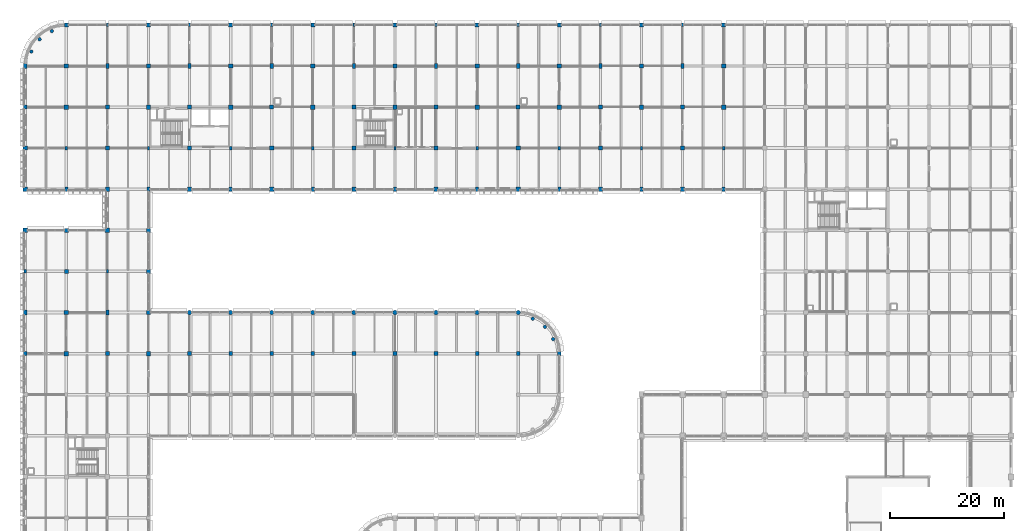
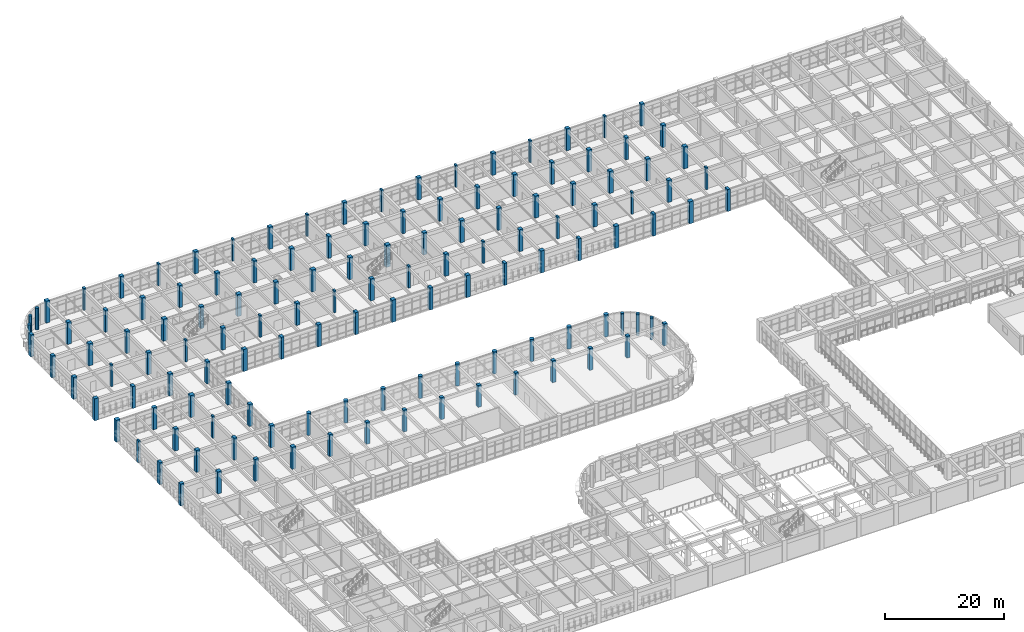
# One storey, part 5 of 171: 130 columns.
"""IFC4 building model written with IfcOpenShell, lengths in metres."""

from ifc_helpers import new_model, si_unit, direction, frame, origin, origin_2d, place, context, subcontext, project, spatial, rectangle, circle, extrude, material, material_profile, profile_set, type_object, element, save


model = new_model("IFC4")

# Units and contexts
model_context = context("Model", 3, precision=1e-05, world=origin(), true_north=direction((0.0, 1.0)))
body_context = subcontext(model_context, "Body", "Model", "MODEL_VIEW")
ifc_project = project(units=[si_unit("LENGTHUNIT", "METRE"), si_unit("AREAUNIT", "SQUARE_METRE"), si_unit("VOLUMEUNIT", "CUBIC_METRE"), si_unit("PLANEANGLEUNIT", "RADIAN"), si_unit("MASSUNIT", "GRAM", prefix="KILO")], contexts=[model_context])

# Site, building, storey
site_placement = place(None, origin())
site = spatial("IfcSite", under=ifc_project, at=site_placement, CompositionType="ELEMENT")
building_placement = place(site_placement, origin())
building = spatial("IfcBuilding", under=site, at=building_placement, Name="Thalmaran Polytechnic", CompositionType="ELEMENT")
storey_placement = place(building_placement, frame((0.0, 0.0, 5.39990234375)))
storey = spatial("IfcBuildingStorey", under=building, at=storey_placement, Name="L01", CompositionType="ELEMENT", Elevation=5.39990234375)

# Columns
ifc_material_1 = material(Name="Concrete C50/60", Category="concrete")
ifc_material_profile_1 = material_profile(ifc_material_1, rectangle(XDim=0.75, YDim=0.75, at=origin_2d()), Name="RC 750x750")
ifc_profile_set_1 = profile_set([ifc_material_profile_1], Name="Concrete C50/60")
column_type_1 = type_object("IfcColumnType", Name="COL-C04", PredefinedType="COLUMN", material=ifc_profile_set_1)
for number, where, z_axis, x_axis, name in (
    (1, (0.0, 93.60009765625, 0.0), (0.0, 0.0, 1.0), (1.0, 0.0, 0.0), "Column C04 L01 (0,13)"),
    (2, (7.199951171875, 72.0, 0.0), (0.0, 0.0, 1.0), (1.0, 0.0, 0.0), "Column C04 L01 (1,10)"),
    (3, (7.199951171875, 115.199951171875, 0.0), (0.0, 0.0, 1.0), (1.0, 0.0, 0.0), "Column C04 L01 (1,16)"),
    (4, (14.39990234375, 93.60009765625, 0.0), (0.0, 0.0, 1.0), (1.0, 0.0, 0.0), "Column C04 L01 (2,13)"),
    (5, (21.60009765625, 72.0, 0.0), (0.0, 0.0, 1.0), (1.0, 0.0, 0.0), "Column C04 L01 (3,10)"),
    (6, (21.60009765625, 115.199951171875, 0.0), (0.0, 0.0, 1.0), (1.0, 0.0, 0.0), "Column C04 L01 (3,16)"),
    (7, (28.800048828125, 93.60009765625, 0.0), (0.0, 0.0, 1.0), (1.0, 0.0, 0.0), "Column C04 L01 (4,13)"),
    (8, (36.0, 115.199951171875, 0.0), (0.0, 0.0, 1.0), (1.0, 0.0, 0.0), "Column C04 L01 (5,16)"),
    (9, (43.199951171875, 93.60009765625, 0.0), (0.0, 0.0, 1.0), (1.0, 0.0, 0.0), "Column C04 L01 (6,13)"),
    (10, (50.39990234375, 115.199951171875, 0.0), (0.0, 0.0, 1.0), (1.0, 0.0, 0.0), "Column C04 L01 (7,16)"),
    (11, (57.60009765625, 93.60009765625, 0.0), (0.0, 0.0, 1.0), (1.0, 0.0, 0.0), "Column C04 L01 (8,13)"),
    (12, (64.800048828125, 115.199951171875, 0.0), (0.0, 0.0, 1.0), (1.0, 0.0, 0.0), "Column C04 L01 (9,16)"),
    (13, (72.0, 93.60009765625, 0.0), (0.0, 0.0, 1.0), (1.0, 0.0, 0.0), "Column C04 L01 (10,13)"),
    (14, (79.199951171875, 115.199951171875, 0.0), (0.0, 0.0, 1.0), (1.0, 0.0, 0.0), "Column C04 L01 (11,16)"),
    (15, (86.39990234375, 93.60009765625, 0.0), (0.0, 0.0, 1.0), (1.0, 0.0, 0.0), "Column C04 L01 (12,13)"),
    (16, (93.60009765625, 115.199951171875, 0.0), (0.0, 0.0, 1.0), (1.0, 0.0, 0.0), "Column C04 L01 (13,16)"),
    (17, (100.800048828125, 93.60009765625, 0.0), (0.0, 0.0, 1.0), (1.0, 0.0, 0.0), "Column C04 L01 (14,13)"),
    (18, (108.0, 115.199951171875, 0.0), (0.0, 0.0, 1.0), (1.0, 0.0, 0.0), "Column C04 L01 (15,16)"),
    (19, (115.199951171875, 93.60009765625, 0.0), (0.0, 0.0, 1.0), (1.0, 0.0, 0.0), "Column C04 L01 (16,13)"),
    (20, (122.39990234375, 115.199951171875, 0.0), (0.0, 0.0, 1.0), (1.0, 0.0, 0.0), "Column C04 L01 (17,16)"),
):
    element("IfcColumn", number, at=place(storey_placement, frame(where, z_axis=z_axis, x_axis=x_axis)), inside=storey, type_object=column_type_1, Name=name, PredefinedType="COLUMN", context=body_context, shape_type="SweptSolid", body=[
        extrude(rectangle(XDim=0.75, YDim=0.75, at=origin_2d()), origin(), (0.0, 0.0, 1.0), 4.5),
    ])
ifc_material_profile_2 = material_profile(ifc_material_1, rectangle(XDim=0.699951171875, YDim=0.699951171875, at=origin_2d()), Name="RC 700x700")
ifc_profile_set_2 = profile_set([ifc_material_profile_2], Name="Concrete C50/60")
column_type_2 = type_object("IfcColumnType", Name="COL-C05", PredefinedType="COLUMN", material=ifc_profile_set_2)
for number, where, z_axis, x_axis, name in (
    (21, (0.0, 64.800048828125, 0.0), (0.0, 0.0, 1.0), (1.0, 0.0, 0.0), "Column C05 L01 (0,9)"),
    (22, (0.0, 108.0, 0.0), (0.0, 0.0, 1.0), (1.0, 0.0, 0.0), "Column C05 L01 (0,15)"),
    (23, (7.199951171875, 86.39990234375, 0.0), (0.0, 0.0, 1.0), (1.0, 0.0, 0.0), "Column C05 L01 (1,12)"),
    (24, (14.39990234375, 64.800048828125, 0.0), (0.0, 0.0, 1.0), (1.0, 0.0, 0.0), "Column C05 L01 (2,9)"),
    (25, (14.39990234375, 108.0, 0.0), (0.0, 0.0, 1.0), (1.0, 0.0, 0.0), "Column C05 L01 (2,15)"),
    (26, (21.60009765625, 86.39990234375, 0.0), (0.0, 0.0, 1.0), (1.0, 0.0, 0.0), "Column C05 L01 (3,12)"),
    (27, (28.800048828125, 108.0, 0.0), (0.0, 0.0, 1.0), (1.0, 0.0, 0.0), "Column C05 L01 (4,15)"),
    (28, (43.199951171875, 108.0, 0.0), (0.0, 0.0, 1.0), (1.0, 0.0, 0.0), "Column C05 L01 (6,15)"),
    (29, (57.60009765625, 108.0, 0.0), (0.0, 0.0, 1.0), (1.0, 0.0, 0.0), "Column C05 L01 (8,15)"),
    (30, (72.0, 108.0, 0.0), (0.0, 0.0, 1.0), (1.0, 0.0, 0.0), "Column C05 L01 (10,15)"),
    (31, (86.39990234375, 108.0, 0.0), (0.0, 0.0, 1.0), (1.0, 0.0, 0.0), "Column C05 L01 (12,15)"),
    (32, (100.800048828125, 108.0, 0.0), (0.0, 0.0, 1.0), (1.0, 0.0, 0.0), "Column C05 L01 (14,15)"),
    (33, (115.199951171875, 108.0, 0.0), (0.0, 0.0, 1.0), (1.0, 0.0, 0.0), "Column C05 L01 (16,15)"),
):
    element("IfcColumn", number, at=place(storey_placement, frame(where, z_axis=z_axis, x_axis=x_axis)), inside=storey, type_object=column_type_2, Name=name, PredefinedType="COLUMN", context=body_context, shape_type="SweptSolid", body=[
        extrude(rectangle(XDim=0.699951171875, YDim=0.699951171875, at=origin_2d()), origin(), (0.0, 0.0, 1.0), 4.5),
    ])
ifc_material_2 = material(Name="Concrete C40/50", Category="concrete")
ifc_material_profile_3 = material_profile(ifc_material_2, rectangle(XDim=0.64990234375, YDim=0.64990234375, at=origin_2d()), Name="RC 650x650")
ifc_profile_set_3 = profile_set([ifc_material_profile_3], Name="Concrete C40/50")
column_type_3 = type_object("IfcColumnType", Name="COL-C06", PredefinedType="COLUMN", material=ifc_profile_set_3)
for number, where, z_axis, x_axis, name in (
    (34, (28.800048828125, 64.800048828125, 0.0), (0.0, 0.0, 1.0), (1.0, 0.0, 0.0), "Column C06 L01 (4,9)"),
    (35, (36.0, 64.800048828125, 0.0), (0.0, 0.0, 1.0), (1.0, 0.0, 0.0), "Column C06 L01 (5,9)"),
    (36, (43.199951171875, 64.800048828125, 0.0), (0.0, 0.0, 1.0), (1.0, 0.0, 0.0), "Column C06 L01 (6,9)"),
    (37, (50.39990234375, 64.800048828125, 0.0), (0.0, 0.0, 1.0), (1.0, 0.0, 0.0), "Column C06 L01 (7,9)"),
    (38, (57.60009765625, 64.800048828125, 0.0), (0.0, 0.0, 1.0), (1.0, 0.0, 0.0), "Column C06 L01 (8,9)"),
    (39, (64.800048828125, 64.800048828125, 0.0), (0.0, 0.0, 1.0), (1.0, 0.0, 0.0), "Column C06 L01 (9,9)"),
    (40, (72.0, 64.800048828125, 0.0), (0.0, 0.0, 1.0), (1.0, 0.0, 0.0), "Column C06 L01 (10,9)"),
    (41, (79.199951171875, 64.800048828125, 0.0), (0.0, 0.0, 1.0), (1.0, 0.0, 0.0), "Column C06 L01 (11,9)"),
    (42, (86.39990234375, 64.800048828125, 0.0), (0.0, 0.0, 1.0), (1.0, 0.0, 0.0), "Column C06 L01 (12,9)"),
    (43, (93.60009765625, 64.800048828125, 0.0), (0.0, 0.0, 1.0), (1.0, 0.0, 0.0), "Column C06 L01 (13,9)"),
):
    element("IfcColumn", number, at=place(storey_placement, frame(where, z_axis=z_axis, x_axis=x_axis)), inside=storey, type_object=column_type_3, Name=name, PredefinedType="COLUMN", context=body_context, shape_type="SweptSolid", body=[
        extrude(rectangle(XDim=0.64990234375, YDim=0.64990234375, at=origin_2d()), origin(), (0.0, 0.0, 1.0), 4.5),
    ])
ifc_material_profile_4 = material_profile(ifc_material_1, rectangle(XDim=0.550048828125, YDim=0.85009765625, at=origin_2d()), Name="RC 550x850")
ifc_profile_set_4 = profile_set([ifc_material_profile_4], Name="Concrete C50/60")
column_type_4 = type_object("IfcColumnType", Name="COL-C12", PredefinedType="COLUMN", material=ifc_profile_set_4)
for number, where, z_axis, x_axis, name in (
    (44, (0.0, 72.0, 0.0), (0.0, 0.0, 1.0), (1.0, 0.0, 0.0), "Column C12 L01 (0,10)"),
    (45, (0.0, 115.199951171875, 0.0), (0.0, 0.0, 1.0), (1.0, 0.0, 0.0), "Column C12 L01 (0,16)"),
    (46, (7.199951171875, 93.60009765625, 0.0), (0.0, 0.0, 1.0), (1.0, 0.0, 0.0), "Column C12 L01 (1,13)"),
    (47, (14.39990234375, 72.0, 0.0), (0.0, 0.0, 1.0), (1.0, 0.0, 0.0), "Column C12 L01 (2,10)"),
    (48, (14.39990234375, 115.199951171875, 0.0), (0.0, 0.0, 1.0), (1.0, 0.0, 0.0), "Column C12 L01 (2,16)"),
    (49, (21.60009765625, 93.60009765625, 0.0), (0.0, 0.0, 1.0), (1.0, 0.0, 0.0), "Column C12 L01 (3,13)"),
    (50, (28.800048828125, 115.199951171875, 0.0), (0.0, 0.0, 1.0), (1.0, 0.0, 0.0), "Column C12 L01 (4,16)"),
    (51, (36.0, 93.60009765625, 0.0), (0.0, 0.0, 1.0), (1.0, 0.0, 0.0), "Column C12 L01 (5,13)"),
    (52, (43.199951171875, 115.199951171875, 0.0), (0.0, 0.0, 1.0), (1.0, 0.0, 0.0), "Column C12 L01 (6,16)"),
    (53, (50.39990234375, 93.60009765625, 0.0), (0.0, 0.0, 1.0), (1.0, 0.0, 0.0), "Column C12 L01 (7,13)"),
    (54, (57.60009765625, 115.199951171875, 0.0), (0.0, 0.0, 1.0), (1.0, 0.0, 0.0), "Column C12 L01 (8,16)"),
    (55, (64.800048828125, 93.60009765625, 0.0), (0.0, 0.0, 1.0), (1.0, 0.0, 0.0), "Column C12 L01 (9,13)"),
    (56, (72.0, 115.199951171875, 0.0), (0.0, 0.0, 1.0), (1.0, 0.0, 0.0), "Column C12 L01 (10,16)"),
    (57, (79.199951171875, 93.60009765625, 0.0), (0.0, 0.0, 1.0), (1.0, 0.0, 0.0), "Column C12 L01 (11,13)"),
    (58, (86.39990234375, 115.199951171875, 0.0), (0.0, 0.0, 1.0), (1.0, 0.0, 0.0), "Column C12 L01 (12,16)"),
    (59, (93.60009765625, 93.60009765625, 0.0), (0.0, 0.0, 1.0), (1.0, 0.0, 0.0), "Column C12 L01 (13,13)"),
    (60, (100.800048828125, 115.199951171875, 0.0), (0.0, 0.0, 1.0), (1.0, 0.0, 0.0), "Column C12 L01 (14,16)"),
    (61, (108.0, 93.60009765625, 0.0), (0.0, 0.0, 1.0), (1.0, 0.0, 0.0), "Column C12 L01 (15,13)"),
    (62, (115.199951171875, 115.199951171875, 0.0), (0.0, 0.0, 1.0), (1.0, 0.0, 0.0), "Column C12 L01 (16,16)"),
    (63, (122.39990234375, 93.60009765625, 0.0), (0.0, 0.0, 1.0), (1.0, 0.0, 0.0), "Column C12 L01 (17,13)"),
):
    element("IfcColumn", number, at=place(storey_placement, frame(where, z_axis=z_axis, x_axis=x_axis)), inside=storey, type_object=column_type_4, Name=name, PredefinedType="COLUMN", context=body_context, shape_type="SweptSolid", body=[
        extrude(rectangle(XDim=0.550048828125, YDim=0.85009765625, at=origin_2d()), origin(), (0.0, 0.0, 1.0), 4.5),
    ])
ifc_material_profile_5 = material_profile(ifc_material_1, circle(Radius=0.39990234375, at=origin_2d()), Name="RC 800 DIA")
ifc_profile_set_5 = profile_set([ifc_material_profile_5], Name="Concrete C50/60")
column_type_5 = type_object("IfcColumnType", Name="COL-C14", PredefinedType="COLUMN", material=ifc_profile_set_5)
for number, where, z_axis, x_axis, name in (
    (64, (28.800048828125, 72.0, 0.0), (0.0, 0.0, 1.0), (1.0, 0.0, 0.0), "Column C14 L01 (4,10)"),
    (65, (36.0, 72.0, 0.0), (0.0, 0.0, 1.0), (1.0, 0.0, 0.0), "Column C14 L01 (5,10)"),
    (66, (43.199951171875, 72.0, 0.0), (0.0, 0.0, 1.0), (1.0, 0.0, 0.0), "Column C14 L01 (6,10)"),
    (67, (50.39990234375, 72.0, 0.0), (0.0, 0.0, 1.0), (1.0, 0.0, 0.0), "Column C14 L01 (7,10)"),
    (68, (57.60009765625, 72.0, 0.0), (0.0, 0.0, 1.0), (1.0, 0.0, 0.0), "Column C14 L01 (8,10)"),
    (69, (64.800048828125, 72.0, 0.0), (0.0, 0.0, 1.0), (1.0, 0.0, 0.0), "Column C14 L01 (9,10)"),
    (70, (72.0, 72.0, 0.0), (0.0, 0.0, 1.0), (1.0, 0.0, 0.0), "Column C14 L01 (10,10)"),
    (71, (79.199951171875, 72.0, 0.0), (0.0, 0.0, 1.0), (1.0, 0.0, 0.0), "Column C14 L01 (11,10)"),
    (72, (86.39990234375, 72.0, 0.0), (0.0, 0.0, 1.0), (1.0, 0.0, 0.0), "Column C14 L01 (12,10)"),
):
    element("IfcColumn", number, at=place(storey_placement, frame(where, z_axis=z_axis, x_axis=x_axis)), inside=storey, type_object=column_type_5, Name=name, PredefinedType="COLUMN", context=body_context, shape_type="SweptSolid", body=[
        extrude(circle(Radius=0.39990234375, at=origin_2d()), origin(), (0.0, 0.0, 1.0), 4.5),
    ])
ifc_material_profile_6 = material_profile(ifc_material_2, circle(Radius=0.300048828125, at=origin_2d()), Name="RC 600 DIA")
ifc_profile_set_6 = profile_set([ifc_material_profile_6], Name="Concrete C40/50")
column_type_6 = type_object("IfcColumnType", Name="COL-C16", PredefinedType="COLUMN", material=ifc_profile_set_6)
for number, where, z_axis, x_axis, name in (
    (73, (4.666748046875, 121.316162109375, 0.0), (0.0, 0.0, 1.0), (1.0, 0.0, 0.0), "Prow Column NWP1 L01"),
    (74, (2.51904296875, 119.881103515625, 0.0), (0.0, 0.0, 1.0), (1.0, 0.0, 0.0), "Prow Column NWP2 L01"),
    (75, (1.083984375, 117.7333984375, 0.0), (0.0, 0.0, 1.0), (1.0, 0.0, 0.0), "Prow Column NWP3 L01"),
    (76, (92.51611328125, 67.333251953125, 0.0), (0.0, 0.0, 1.0), (1.0, 0.0, 0.0), "Refectory Drum Column V6NE1 L01"),
    (77, (91.0810546875, 69.48095703125, 0.0), (0.0, 0.0, 1.0), (1.0, 0.0, 0.0), "Refectory Drum Column V6NE2 L01"),
    (78, (88.933349609375, 70.916015625, 0.0), (0.0, 0.0, 1.0), (1.0, 0.0, 0.0), "Refectory Drum Column V6NE3 L01"),
):
    element("IfcColumn", number, at=place(storey_placement, frame(where, z_axis=z_axis, x_axis=x_axis)), inside=storey, type_object=column_type_6, Name=name, PredefinedType="COLUMN", context=body_context, shape_type="SweptSolid", body=[
        extrude(circle(Radius=0.300048828125, at=origin_2d()), origin(), (0.0, 0.0, 1.0), 4.5),
    ])
ifc_material_profile_7 = material_profile(ifc_material_2, rectangle(XDim=0.39990234375, YDim=0.60009765625, at=origin_2d()), Name="RC 400x600")
ifc_profile_set_7 = profile_set([ifc_material_profile_7], Name="Concrete C40/50")
column_type_7 = type_object("IfcColumnType", Name="COL-PL2", PredefinedType="PILASTER", material=ifc_profile_set_7)
for number, where, z_axis, x_axis, name in (
    (79, (0.0, 79.199951171875, 0.0), (0.0, 0.0, 1.0), (1.0, 0.0, 0.0), "Column PL2 L01 (0,11)"),
    (80, (7.199951171875, 100.800048828125, 0.0), (0.0, 0.0, 1.0), (1.0, 0.0, 0.0), "Column PL2 L01 (1,14)"),
    (81, (14.39990234375, 79.199951171875, 0.0), (0.0, 0.0, 1.0), (1.0, 0.0, 0.0), "Column PL2 L01 (2,11)"),
    (82, (14.39990234375, 122.39990234375, 0.0), (0.0, 0.0, 1.0), (1.0, 0.0, 0.0), "Column PL2 L01 (2,17)"),
    (83, (21.60009765625, 100.800048828125, 0.0), (0.0, 0.0, 1.0), (1.0, 0.0, 0.0), "Column PL2 L01 (3,14)"),
    (84, (28.800048828125, 122.39990234375, 0.0), (0.0, 0.0, 1.0), (1.0, 0.0, 0.0), "Column PL2 L01 (4,17)"),
    (85, (36.0, 100.800048828125, 0.0), (0.0, 0.0, 1.0), (1.0, 0.0, 0.0), "Column PL2 L01 (5,14)"),
    (86, (43.199951171875, 122.39990234375, 0.0), (0.0, 0.0, 1.0), (1.0, 0.0, 0.0), "Column PL2 L01 (6,17)"),
    (87, (50.39990234375, 100.800048828125, 0.0), (0.0, 0.0, 1.0), (1.0, 0.0, 0.0), "Column PL2 L01 (7,14)"),
    (88, (57.60009765625, 122.39990234375, 0.0), (0.0, 0.0, 1.0), (1.0, 0.0, 0.0), "Column PL2 L01 (8,17)"),
    (89, (64.800048828125, 100.800048828125, 0.0), (0.0, 0.0, 1.0), (1.0, 0.0, 0.0), "Column PL2 L01 (9,14)"),
    (90, (72.0, 122.39990234375, 0.0), (0.0, 0.0, 1.0), (1.0, 0.0, 0.0), "Column PL2 L01 (10,17)"),
    (91, (79.199951171875, 100.800048828125, 0.0), (0.0, 0.0, 1.0), (1.0, 0.0, 0.0), "Column PL2 L01 (11,14)"),
    (92, (86.39990234375, 122.39990234375, 0.0), (0.0, 0.0, 1.0), (1.0, 0.0, 0.0), "Column PL2 L01 (12,17)"),
    (93, (93.60009765625, 100.800048828125, 0.0), (0.0, 0.0, 1.0), (1.0, 0.0, 0.0), "Column PL2 L01 (13,14)"),
    (94, (100.800048828125, 122.39990234375, 0.0), (0.0, 0.0, 1.0), (1.0, 0.0, 0.0), "Column PL2 L01 (14,17)"),
    (95, (108.0, 100.800048828125, 0.0), (0.0, 0.0, 1.0), (1.0, 0.0, 0.0), "Column PL2 L01 (15,14)"),
    (96, (115.199951171875, 122.39990234375, 0.0), (0.0, 0.0, 1.0), (1.0, 0.0, 0.0), "Column PL2 L01 (16,17)"),
    (97, (122.39990234375, 100.800048828125, 0.0), (0.0, 0.0, 1.0), (1.0, 0.0, 0.0), "Column PL2 L01 (17,14)"),
):
    element("IfcColumn", number, at=place(storey_placement, frame(where, z_axis=z_axis, x_axis=x_axis)), inside=storey, type_object=column_type_7, Name=name, PredefinedType="PILASTER", context=body_context, shape_type="SweptSolid", body=[
        extrude(rectangle(XDim=0.39990234375, YDim=0.60009765625, at=origin_2d()), origin(), (0.0, 0.0, 1.0), 4.5),
    ])
ifc_material_profile_8 = material_profile(ifc_material_1, rectangle(XDim=0.780029296875, YDim=0.780029296875, at=origin_2d()), Name="RC 780x780")
ifc_profile_set_8 = profile_set([ifc_material_profile_8], Name="Concrete C50/60")
column_type_8 = type_object("IfcColumnType", Name="COL-ZC03", PredefinedType="COLUMN", material=ifc_profile_set_8)
for number, where, z_axis, x_axis, name in (
    (98, (0.0, 86.39990234375, 0.0), (0.0, 0.0, 1.0), (1.0, 0.0, 0.0), "Column ZC03 L01 (0,12)"),
    (99, (7.199951171875, 64.800048828125, 0.0), (0.0, 0.0, 1.0), (1.0, 0.0, 0.0), "Column ZC03 L01 (1,9)"),
    (100, (7.199951171875, 108.0, 0.0), (0.0, 0.0, 1.0), (1.0, 0.0, 0.0), "Column ZC03 L01 (1,15)"),
    (101, (14.39990234375, 86.39990234375, 0.0), (0.0, 0.0, 1.0), (1.0, 0.0, 0.0), "Column ZC03 L01 (2,12)"),
    (102, (21.60009765625, 64.800048828125, 0.0), (0.0, 0.0, 1.0), (1.0, 0.0, 0.0), "Column ZC03 L01 (3,9)"),
    (103, (21.60009765625, 108.0, 0.0), (0.0, 0.0, 1.0), (1.0, 0.0, 0.0), "Column ZC03 L01 (3,15)"),
    (104, (36.0, 108.0, 0.0), (0.0, 0.0, 1.0), (1.0, 0.0, 0.0), "Column ZC03 L01 (5,15)"),
    (105, (50.39990234375, 108.0, 0.0), (0.0, 0.0, 1.0), (1.0, 0.0, 0.0), "Column ZC03 L01 (7,15)"),
    (106, (64.800048828125, 108.0, 0.0), (0.0, 0.0, 1.0), (1.0, 0.0, 0.0), "Column ZC03 L01 (9,15)"),
    (107, (79.199951171875, 108.0, 0.0), (0.0, 0.0, 1.0), (1.0, 0.0, 0.0), "Column ZC03 L01 (11,15)"),
    (108, (93.60009765625, 108.0, 0.0), (0.0, 0.0, 1.0), (1.0, 0.0, 0.0), "Column ZC03 L01 (13,15)"),
    (109, (108.0, 108.0, 0.0), (0.0, 0.0, 1.0), (1.0, 0.0, 0.0), "Column ZC03 L01 (15,15)"),
    (110, (122.39990234375, 108.0, 0.0), (0.0, 0.0, 1.0), (1.0, 0.0, 0.0), "Column ZC03 L01 (17,15)"),
):
    element("IfcColumn", number, at=place(storey_placement, frame(where, z_axis=z_axis, x_axis=x_axis)), inside=storey, type_object=column_type_8, Name=name, PredefinedType="COLUMN", context=body_context, shape_type="SweptSolid", body=[
        extrude(rectangle(XDim=0.780029296875, YDim=0.780029296875, at=origin_2d()), origin(), (0.0, 0.0, 1.0), 4.5),
    ])
ifc_material_profile_9 = material_profile(ifc_material_1, rectangle(XDim=0.719970703125, YDim=0.719970703125, at=origin_2d()), Name="RC 720x720")
ifc_profile_set_9 = profile_set([ifc_material_profile_9], Name="Concrete C50/60")
column_type_9 = type_object("IfcColumnType", Name="COL-ZC04", PredefinedType="COLUMN", material=ifc_profile_set_9)
for number, where, z_axis, x_axis, name in (
    (111, (0.0, 100.800048828125, 0.0), (0.0, 0.0, 1.0), (1.0, 0.0, 0.0), "Column ZC04 L01 (0,14)"),
    (112, (7.199951171875, 79.199951171875, 0.0), (0.0, 0.0, 1.0), (1.0, 0.0, 0.0), "Column ZC04 L01 (1,11)"),
    (113, (7.199951171875, 122.39990234375, 0.0), (0.0, 0.0, 1.0), (1.0, 0.0, 0.0), "Column ZC04 L01 (1,17)"),
    (114, (14.39990234375, 100.800048828125, 0.0), (0.0, 0.0, 1.0), (1.0, 0.0, 0.0), "Column ZC04 L01 (2,14)"),
    (115, (21.60009765625, 79.199951171875, 0.0), (0.0, 0.0, 1.0), (1.0, 0.0, 0.0), "Column ZC04 L01 (3,11)"),
    (116, (21.60009765625, 122.39990234375, 0.0), (0.0, 0.0, 1.0), (1.0, 0.0, 0.0), "Column ZC04 L01 (3,17)"),
    (117, (28.800048828125, 100.800048828125, 0.0), (0.0, 0.0, 1.0), (1.0, 0.0, 0.0), "Column ZC04 L01 (4,14)"),
    (118, (36.0, 122.39990234375, 0.0), (0.0, 0.0, 1.0), (1.0, 0.0, 0.0), "Column ZC04 L01 (5,17)"),
    (119, (43.199951171875, 100.800048828125, 0.0), (0.0, 0.0, 1.0), (1.0, 0.0, 0.0), "Column ZC04 L01 (6,14)"),
    (120, (50.39990234375, 122.39990234375, 0.0), (0.0, 0.0, 1.0), (1.0, 0.0, 0.0), "Column ZC04 L01 (7,17)"),
    (121, (57.60009765625, 100.800048828125, 0.0), (0.0, 0.0, 1.0), (1.0, 0.0, 0.0), "Column ZC04 L01 (8,14)"),
    (122, (64.800048828125, 122.39990234375, 0.0), (0.0, 0.0, 1.0), (1.0, 0.0, 0.0), "Column ZC04 L01 (9,17)"),
    (123, (72.0, 100.800048828125, 0.0), (0.0, 0.0, 1.0), (1.0, 0.0, 0.0), "Column ZC04 L01 (10,14)"),
    (124, (79.199951171875, 122.39990234375, 0.0), (0.0, 0.0, 1.0), (1.0, 0.0, 0.0), "Column ZC04 L01 (11,17)"),
    (125, (86.39990234375, 100.800048828125, 0.0), (0.0, 0.0, 1.0), (1.0, 0.0, 0.0), "Column ZC04 L01 (12,14)"),
    (126, (93.60009765625, 122.39990234375, 0.0), (0.0, 0.0, 1.0), (1.0, 0.0, 0.0), "Column ZC04 L01 (13,17)"),
    (127, (100.800048828125, 100.800048828125, 0.0), (0.0, 0.0, 1.0), (1.0, 0.0, 0.0), "Column ZC04 L01 (14,14)"),
    (128, (108.0, 122.39990234375, 0.0), (0.0, 0.0, 1.0), (1.0, 0.0, 0.0), "Column ZC04 L01 (15,17)"),
    (129, (115.199951171875, 100.800048828125, 0.0), (0.0, 0.0, 1.0), (1.0, 0.0, 0.0), "Column ZC04 L01 (16,14)"),
    (130, (122.39990234375, 122.39990234375, 0.0), (0.0, 0.0, 1.0), (1.0, 0.0, 0.0), "Column ZC04 L01 (17,17)"),
):
    element("IfcColumn", number, at=place(storey_placement, frame(where, z_axis=z_axis, x_axis=x_axis)), inside=storey, type_object=column_type_9, Name=name, PredefinedType="COLUMN", context=body_context, shape_type="SweptSolid", body=[
        extrude(rectangle(XDim=0.719970703125, YDim=0.719970703125, at=origin_2d()), origin(), (0.0, 0.0, 1.0), 4.5),
    ])

save(model, "model.ifc")
